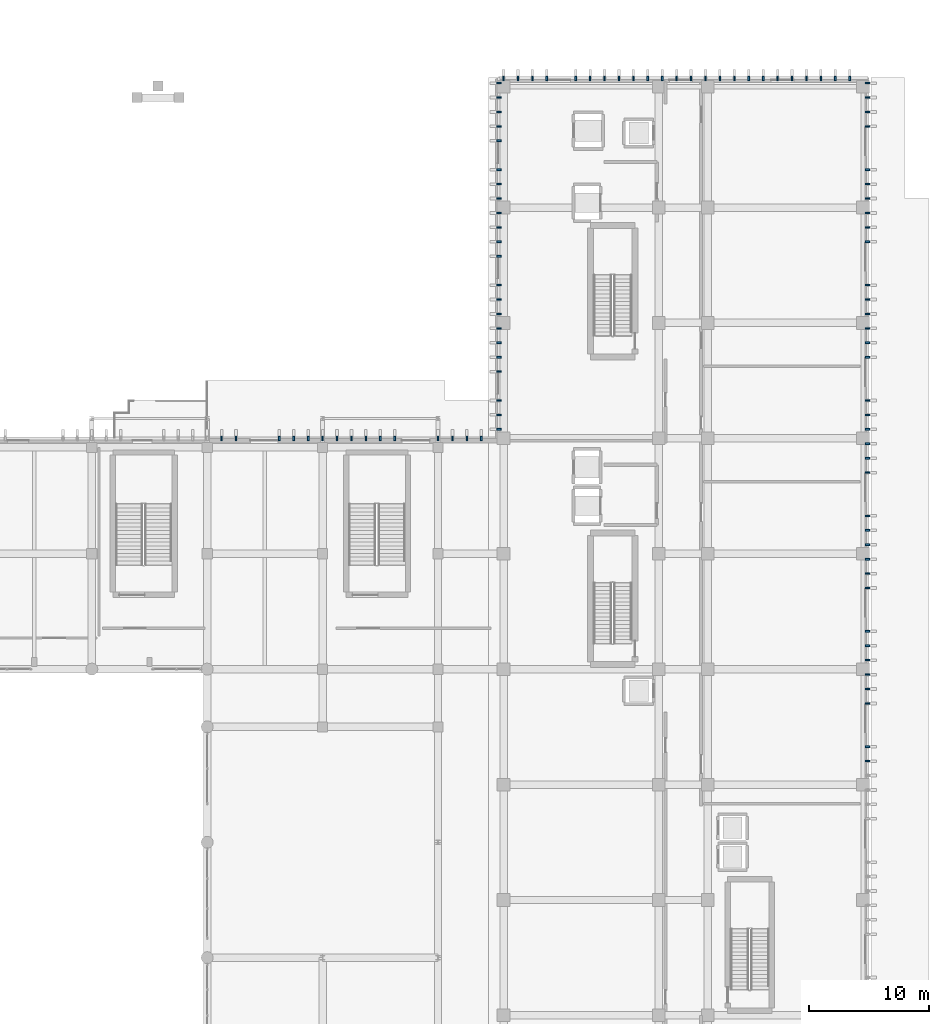
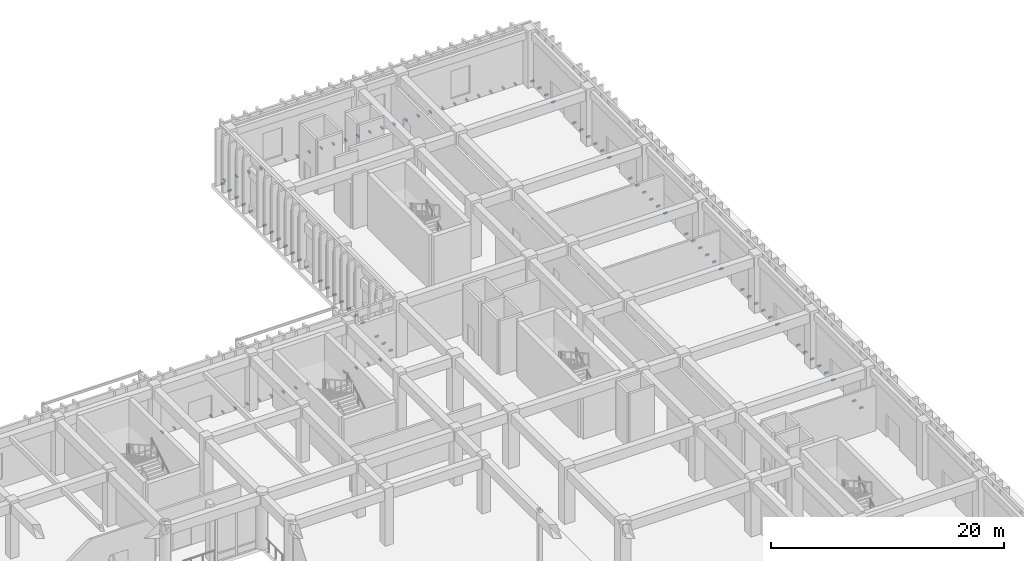
# One storey, part 58 of 87: 97 discrete accessories.
"""IFC4 building model written with IfcOpenShell, lengths in metres."""

import ifcopenshell
import ifcopenshell.guid

model = None  # the IFC model being written
_history = None  # IfcOwnerHistory: only IFC2X3 demands one
_inside = {}  # id of a spatial element -> (the spatial element, [elements in it])
_under = {}  # id of a project, library or spatial element -> (it, [spatial elements below it])
_declared = {}  # id of a project -> (the project, [libraries it declares])
_typed = {}  # id of a type object -> (the type object, [elements of that type])
_made_of = {}  # id of a material, layer set ... -> (it, [elements and type objects made of it])


def new_model(schema):
    """Start an empty IFC model of exactly this schema.

    Asked for "IFC4X3", IfcOpenShell would pick the latest addendum, in which some entities
    have other attributes; the version numbers below select the first issue.
    IFC2X3 requires an IfcOwnerHistory on every rooted entity: one is made here for all.
    """
    global model, _history
    if schema == "IFC4X3":
        model = ifcopenshell.file(schema_version=(4, 3, 0, 0))
    else:
        model = ifcopenshell.file(schema=schema)
    _inside.clear()
    _under.clear()
    _declared.clear()
    _typed.clear()
    _made_of.clear()
    _history = None
    if model.schema == "IFC2X3":
        org = make("IfcOrganization", Name="unknown")
        user = make(
            "IfcPersonAndOrganization",
            ThePerson=make("IfcPerson", FamilyName="unknown"),
            TheOrganization=org,
        )
        app = make(
            "IfcApplication",
            ApplicationDeveloper=org,
            Version="unknown",
            ApplicationFullName="unknown",
            ApplicationIdentifier="unknown",
        )
        _history = make(
            "IfcOwnerHistory",
            OwningUser=user,
            OwningApplication=app,
            ChangeAction="ADDED",
            CreationDate=0,
        )
    return model


def make(cls, **values):
    """One entity of the class cls with the attributes given. An attribute that is None is left unset."""
    return model.create_entity(
        cls, **{name: value for name, value in values.items() if value is not None}
    )


def rooted(cls, **values):
    """An entity with a GlobalId (a new one), such as an element, a storey or a relation."""
    return make(cls, GlobalId=ifcopenshell.guid.new(), OwnerHistory=_history, **values)


def si_unit(unit_type, name, prefix=None):
    """IfcSIUnit, for example si_unit("LENGTHUNIT", "METRE", prefix="MILLI")."""
    return make("IfcSIUnit", UnitType=unit_type, Prefix=prefix, Name=name)


def assignment(units):
    """IfcUnitAssignment: the units of a project."""
    return None if units is None else make("IfcUnitAssignment", Units=units)


def point(xyz):
    """IfcCartesianPoint."""
    return None if xyz is None else make("IfcCartesianPoint", Coordinates=xyz)


def direction(xyz):
    """IfcDirection."""
    return None if xyz is None else make("IfcDirection", DirectionRatios=xyz)


def frame(location, z_axis=None, x_axis=None):
    """IfcAxis2Placement3D, a coordinate frame: its origin and axes. An axis left out is left unset."""
    return make(
        "IfcAxis2Placement3D",
        Location=point(location),
        Axis=direction(z_axis),
        RefDirection=direction(x_axis),
    )


def frame_2d(location, x_axis=None):
    """IfcAxis2Placement2D, a coordinate frame in the plane: its origin and x axis."""
    return make(
        "IfcAxis2Placement2D", Location=point(location), RefDirection=direction(x_axis)
    )


def origin():
    """The frame at (0, 0, 0) with its axes left unset."""
    return frame((0.0, 0.0, 0.0))


def origin_2d():
    """The frame at (0, 0) in the plane with its x axis left unset."""
    return frame_2d((0.0, 0.0))


def place(relative_to, where):
    """IfcLocalPlacement: puts the frame where relative to a parent placement (None: the world)."""
    return make(
        "IfcLocalPlacement", PlacementRelTo=relative_to, RelativePlacement=where
    )


def context(
    kind, dimensions, precision=None, world=None, true_north=None, identifier=None
):
    """IfcGeometricRepresentationContext, for example the 3D "Model" context."""
    return make(
        "IfcGeometricRepresentationContext",
        ContextIdentifier=identifier,
        ContextType=kind,
        CoordinateSpaceDimension=dimensions,
        Precision=precision,
        WorldCoordinateSystem=world,
        TrueNorth=true_north,
    )


def subcontext(parent, identifier, kind, view, scale=None):
    """IfcGeometricRepresentationSubContext, for example "Body" below "Model"."""
    return make(
        "IfcGeometricRepresentationSubContext",
        ContextIdentifier=identifier,
        ContextType=kind,
        ParentContext=parent,
        TargetScale=scale,
        TargetView=view,
    )


def project(units=None, contexts=None):
    """IfcProject with its units and contexts."""
    return rooted(
        "IfcProject",
        Name="project",
        RepresentationContexts=contexts,
        UnitsInContext=assignment(units),
    )


def spatial(cls, under=None, at=None, **own):
    """A site, building, storey or space (cls), placed at a placement, below another one or the project."""
    s = rooted(cls, ObjectPlacement=at, **own)
    if under is not None:
        _under.setdefault(under.id(), (under, []))[1].append(s)
    return s


def profile(cls, at=None, kind="AREA", **sizes):
    """A parametric profile (cls). Its sizes go by their IFC names, for example OverallWidth=200.0."""
    return make(cls, ProfileType=kind, Position=at, **sizes)


def rectangle(**sizes):
    """IfcRectangleProfileDef."""
    return profile("IfcRectangleProfileDef", **sizes)


def extrude(swept, where, along, depth):
    """IfcExtrudedAreaSolid: the profile swept, set in the frame where, extruded along a direction by depth."""
    return make(
        "IfcExtrudedAreaSolid",
        SweptArea=swept,
        Position=where,
        ExtrudedDirection=direction(along),
        Depth=depth,
    )


def shape(context_of_items, identifier, shape_type, items):
    """IfcShapeRepresentation: the items that make up one representation, for example the "Body"."""
    return make(
        "IfcShapeRepresentation",
        ContextOfItems=context_of_items,
        RepresentationIdentifier=identifier,
        RepresentationType=shape_type,
        Items=items,
    )


def material(Name=None, Category=None):
    """IfcMaterial."""
    return make("IfcMaterial", Name=Name, Category=Category)


def made_of(thing, what):
    """Note that an element or type object is made of a material, layer set ...; save() writes the relation."""
    if what is not None:
        _made_of.setdefault(what.id(), (what, []))[1].append(thing)
    return thing


def type_object(cls, material=None, **own):
    """A type object (cls), such as IfcWallType, which elements share."""
    return made_of(rooted(cls, **own), material)


def element(
    cls,
    number,
    at=None,
    inside=None,
    cuts=None,
    type_object=None,
    material=None,
    context=None,
    identifier="Body",
    shape_type=None,
    held_by="IfcProductDefinitionShape",
    body=None,
    shapes=None,
    **own,
):
    """One element of the class cls, such as IfcWall. Its Tag is "e" and its number.

    at: its placement. inside: the storey or other place that contains it. cuts: it is an
    opening in that element (IfcRelVoidsElement). A single representation is given by context,
    identifier, shape_type and body (its items); several are given by shapes. held_by: the class
    of the entity that holds the representations. save() writes the other relations.
    """
    e = rooted(cls, Tag="e%d" % number, ObjectPlacement=at, **own)
    if body is not None:
        shapes = [shape(context, identifier, shape_type, body)]
    if shapes is not None:
        e.Representation = make(held_by, Representations=shapes)
    if inside is not None:
        _inside.setdefault(inside.id(), (inside, []))[1].append(e)
    if cuts is not None:
        rooted(
            "IfcRelVoidsElement", RelatingBuildingElement=cuts, RelatedOpeningElement=e
        )
    if type_object is not None:
        _typed.setdefault(type_object.id(), (type_object, []))[1].append(e)
    return made_of(e, material)


def aggregate(whole, parts):
    """IfcRelAggregates: a whole, such as a stair, and the parts it consists of."""
    return rooted("IfcRelAggregates", RelatingObject=whole, RelatedObjects=parts)


def save(model, path):
    """Write the relations noted so far, then the file.

    IfcRelAggregates (storeys below a building ...), IfcRelContainedInSpatialStructure (elements
    in a storey), IfcRelDefinesByType, IfcRelAssociatesMaterial and IfcRelDeclares: one each for
    every whole, place, type object, material and project.
    """
    for whole, parts in _under.values():
        aggregate(whole, parts)
    for where, things in _inside.values():
        rooted(
            "IfcRelContainedInSpatialStructure",
            RelatedElements=things,
            RelatingStructure=where,
        )
    for kind, things in _typed.values():
        rooted("IfcRelDefinesByType", RelatedObjects=things, RelatingType=kind)
    for what, things in _made_of.values():
        rooted("IfcRelAssociatesMaterial", RelatedObjects=things, RelatingMaterial=what)
    for by, libraries in _declared.values():
        rooted("IfcRelDeclares", RelatingContext=by, RelatedDefinitions=libraries)
    model.write(path)


model = new_model("IFC4")

# Units and contexts
model_context = context("Model", 3, precision=1e-05, world=origin(), true_north=direction((0.0, 1.0)))
body_context = subcontext(model_context, "Body", "Model", "MODEL_VIEW")
ifc_project = project(units=[si_unit("LENGTHUNIT", "METRE"), si_unit("AREAUNIT", "SQUARE_METRE"), si_unit("VOLUMEUNIT", "CUBIC_METRE"), si_unit("PLANEANGLEUNIT", "RADIAN"), si_unit("MASSUNIT", "GRAM", prefix="KILO")], contexts=[model_context])

# Site, building, storey
site_placement = place(None, origin())
site = spatial("IfcSite", under=ifc_project, at=site_placement, CompositionType="ELEMENT")
building_placement = place(site_placement, origin())
building = spatial("IfcBuilding", under=site, at=building_placement, Name="Nakhvara Creek Congress Hotel", CompositionType="ELEMENT")
storey_placement = place(building_placement, origin())
storey = spatial("IfcBuildingStorey", under=building, at=storey_placement, Name="L00", CompositionType="ELEMENT", Elevation=0.0)

# Discrete accessories
ifc_material = material(Name="Brushed stainless steel 316L", Category="steel")
discrete_accessory_type = type_object("IfcDiscreteAccessoryType", Name="ACC-BRK-SS316", PredefinedType="BRACKET", material=ifc_material)
for number, where, z_axis, x_axis, name in (
    (1, (126.0, 95.97998046875, -0.10986328125), (0.0, 0.0, 1.0), (1.0, 0.0, 0.0), "Stainless Fin Bracket BK01-0133"),
    (2, (127.199951171875, 95.97998046875, -0.10986328125), (0.0, 0.0, 1.0), (1.0, 0.0, 0.0), "Stainless Fin Bracket BK01-0134"),
    (3, (130.800048828125, 95.97998046875, -0.10986328125), (0.0, 0.0, 1.0), (1.0, 0.0, 0.0), "Stainless Fin Bracket BK01-0135"),
    (4, (132.0, 95.97998046875, -0.10986328125), (0.0, 0.0, 1.0), (1.0, 0.0, 0.0), "Stainless Fin Bracket BK01-0136"),
    (5, (133.199951171875, 95.97998046875, -0.10986328125), (0.0, 0.0, 1.0), (1.0, 0.0, 0.0), "Stainless Fin Bracket BK01-0137"),
    (6, (134.39990234375, 95.97998046875, -0.10986328125), (0.0, 0.0, 1.0), (1.0, 0.0, 0.0), "Stainless Fin Bracket BK01-0138"),
    (7, (135.60009765625, 95.97998046875, -0.10986328125), (0.0, 0.0, 1.0), (1.0, 0.0, 0.0), "Stainless Fin Bracket BK01-0139"),
    (8, (136.800048828125, 95.97998046875, -0.10986328125), (0.0, 0.0, 1.0), (1.0, 0.0, 0.0), "Stainless Fin Bracket BK01-0140"),
    (9, (138.0, 95.97998046875, -0.10986328125), (0.0, 0.0, 1.0), (1.0, 0.0, 0.0), "Stainless Fin Bracket BK01-0141"),
    (10, (139.199951171875, 95.97998046875, -0.10986328125), (0.0, 0.0, 1.0), (1.0, 0.0, 0.0), "Stainless Fin Bracket BK01-0142"),
    (11, (140.39990234375, 95.97998046875, -0.10986328125), (0.0, 0.0, 1.0), (1.0, 0.0, 0.0), "Stainless Fin Bracket BK01-0143"),
    (12, (144.0, 95.97998046875, -0.10986328125), (0.0, 0.0, 1.0), (1.0, 0.0, 0.0), "Stainless Fin Bracket BK01-0144"),
    (13, (145.199951171875, 95.97998046875, -0.10986328125), (0.0, 0.0, 1.0), (1.0, 0.0, 0.0), "Stainless Fin Bracket BK01-0145"),
    (14, (146.39990234375, 95.97998046875, -0.10986328125), (0.0, 0.0, 1.0), (1.0, 0.0, 0.0), "Stainless Fin Bracket BK01-0146"),
    (15, (147.60009765625, 95.97998046875, -0.10986328125), (0.0, 0.0, 1.0), (1.0, 0.0, 0.0), "Stainless Fin Bracket BK01-0147"),
    (16, (179.72998046875, 69.14990234375, -0.10986328125), (0.0, 0.0, 1.0), (0.0, 1.0, 0.0), "Stainless Fin Bracket BK01-0441"),
    (17, (179.72998046875, 70.35009765625, -0.10986328125), (0.0, 0.0, 1.0), (0.0, 1.0, 0.0), "Stainless Fin Bracket BK01-0442"),
    (18, (179.72998046875, 73.949951171875, -0.10986328125), (0.0, 0.0, 1.0), (0.0, 1.0, 0.0), "Stainless Fin Bracket BK01-0443"),
    (19, (179.72998046875, 75.14990234375, -0.10986328125), (0.0, 0.0, 1.0), (0.0, 1.0, 0.0), "Stainless Fin Bracket BK01-0444"),
    (20, (179.72998046875, 76.35009765625, -0.10986328125), (0.0, 0.0, 1.0), (0.0, 1.0, 0.0), "Stainless Fin Bracket BK01-0445"),
    (21, (179.72998046875, 77.550048828125, -0.10986328125), (0.0, 0.0, 1.0), (0.0, 1.0, 0.0), "Stainless Fin Bracket BK01-0446"),
    (22, (179.72998046875, 78.75, -0.10986328125), (0.0, 0.0, 1.0), (0.0, 1.0, 0.0), "Stainless Fin Bracket BK01-0447"),
    (23, (179.72998046875, 79.949951171875, -0.10986328125), (0.0, 0.0, 1.0), (0.0, 1.0, 0.0), "Stainless Fin Bracket BK01-0448"),
    (24, (179.72998046875, 83.550048828125, -0.10986328125), (0.0, 0.0, 1.0), (0.0, 1.0, 0.0), "Stainless Fin Bracket BK01-0449"),
    (25, (179.72998046875, 84.75, -0.10986328125), (0.0, 0.0, 1.0), (0.0, 1.0, 0.0), "Stainless Fin Bracket BK01-0450"),
    (26, (179.72998046875, 85.949951171875, -0.10986328125), (0.0, 0.0, 1.0), (0.0, 1.0, 0.0), "Stainless Fin Bracket BK01-0451"),
    (27, (179.72998046875, 87.14990234375, -0.10986328125), (0.0, 0.0, 1.0), (0.0, 1.0, 0.0), "Stainless Fin Bracket BK01-0452"),
    (28, (179.72998046875, 88.35009765625, -0.10986328125), (0.0, 0.0, 1.0), (0.0, 1.0, 0.0), "Stainless Fin Bracket BK01-0453"),
    (29, (179.72998046875, 89.550048828125, -0.10986328125), (0.0, 0.0, 1.0), (0.0, 1.0, 0.0), "Stainless Fin Bracket BK01-0454"),
    (30, (179.72998046875, 93.14990234375, -0.10986328125), (0.0, 0.0, 1.0), (0.0, 1.0, 0.0), "Stainless Fin Bracket BK01-0455"),
    (31, (179.72998046875, 94.35009765625, -0.10986328125), (0.0, 0.0, 1.0), (0.0, 1.0, 0.0), "Stainless Fin Bracket BK01-0456"),
    (32, (179.72998046875, 95.550048828125, -0.10986328125), (0.0, 0.0, 1.0), (0.0, 1.0, 0.0), "Stainless Fin Bracket BK01-0457"),
    (33, (179.72998046875, 96.75, -0.10986328125), (0.0, 0.0, 1.0), (0.0, 1.0, 0.0), "Stainless Fin Bracket BK01-0458"),
    (34, (149.070068359375, 96.75, -0.10986328125), (0.0, 0.0, 1.0), (0.0, 1.0, 0.0), "Stainless Fin Bracket BK01-0459"),
    (35, (179.72998046875, 97.949951171875, -0.10986328125), (0.0, 0.0, 1.0), (0.0, 1.0, 0.0), "Stainless Fin Bracket BK01-0460"),
    (36, (149.070068359375, 97.949951171875, -0.10986328125), (0.0, 0.0, 1.0), (0.0, 1.0, 0.0), "Stainless Fin Bracket BK01-0461"),
    (37, (179.72998046875, 99.14990234375, -0.10986328125), (0.0, 0.0, 1.0), (0.0, 1.0, 0.0), "Stainless Fin Bracket BK01-0462"),
    (38, (149.070068359375, 99.14990234375, -0.10986328125), (0.0, 0.0, 1.0), (0.0, 1.0, 0.0), "Stainless Fin Bracket BK01-0463"),
    (39, (149.070068359375, 101.550048828125, -0.10986328125), (0.0, 0.0, 1.0), (0.0, 1.0, 0.0), "Stainless Fin Bracket BK01-0464"),
    (40, (179.72998046875, 102.75, -0.10986328125), (0.0, 0.0, 1.0), (0.0, 1.0, 0.0), "Stainless Fin Bracket BK01-0465"),
    (41, (149.070068359375, 102.75, -0.10986328125), (0.0, 0.0, 1.0), (0.0, 1.0, 0.0), "Stainless Fin Bracket BK01-0466"),
    (42, (179.72998046875, 103.949951171875, -0.10986328125), (0.0, 0.0, 1.0), (0.0, 1.0, 0.0), "Stainless Fin Bracket BK01-0467"),
    (43, (149.070068359375, 103.949951171875, -0.10986328125), (0.0, 0.0, 1.0), (0.0, 1.0, 0.0), "Stainless Fin Bracket BK01-0468"),
    (44, (179.72998046875, 105.14990234375, -0.10986328125), (0.0, 0.0, 1.0), (0.0, 1.0, 0.0), "Stainless Fin Bracket BK01-0469"),
    (45, (149.070068359375, 105.14990234375, -0.10986328125), (0.0, 0.0, 1.0), (0.0, 1.0, 0.0), "Stainless Fin Bracket BK01-0470"),
    (46, (179.72998046875, 106.35009765625, -0.10986328125), (0.0, 0.0, 1.0), (0.0, 1.0, 0.0), "Stainless Fin Bracket BK01-0471"),
    (47, (149.070068359375, 106.35009765625, -0.10986328125), (0.0, 0.0, 1.0), (0.0, 1.0, 0.0), "Stainless Fin Bracket BK01-0472"),
    (48, (179.72998046875, 107.550048828125, -0.10986328125), (0.0, 0.0, 1.0), (0.0, 1.0, 0.0), "Stainless Fin Bracket BK01-0473"),
    (49, (149.070068359375, 107.550048828125, -0.10986328125), (0.0, 0.0, 1.0), (0.0, 1.0, 0.0), "Stainless Fin Bracket BK01-0474"),
    (50, (179.72998046875, 108.75, -0.10986328125), (0.0, 0.0, 1.0), (0.0, 1.0, 0.0), "Stainless Fin Bracket BK01-0475"),
    (51, (149.070068359375, 108.75, -0.10986328125), (0.0, 0.0, 1.0), (0.0, 1.0, 0.0), "Stainless Fin Bracket BK01-0476"),
    (52, (149.070068359375, 111.14990234375, -0.10986328125), (0.0, 0.0, 1.0), (0.0, 1.0, 0.0), "Stainless Fin Bracket BK01-0477"),
    (53, (179.72998046875, 112.35009765625, -0.10986328125), (0.0, 0.0, 1.0), (0.0, 1.0, 0.0), "Stainless Fin Bracket BK01-0478"),
    (54, (149.070068359375, 112.35009765625, -0.10986328125), (0.0, 0.0, 1.0), (0.0, 1.0, 0.0), "Stainless Fin Bracket BK01-0479"),
    (55, (179.72998046875, 113.550048828125, -0.10986328125), (0.0, 0.0, 1.0), (0.0, 1.0, 0.0), "Stainless Fin Bracket BK01-0480"),
    (56, (149.070068359375, 113.550048828125, -0.10986328125), (0.0, 0.0, 1.0), (0.0, 1.0, 0.0), "Stainless Fin Bracket BK01-0481"),
    (57, (179.72998046875, 114.75, -0.10986328125), (0.0, 0.0, 1.0), (0.0, 1.0, 0.0), "Stainless Fin Bracket BK01-0482"),
    (58, (149.070068359375, 114.75, -0.10986328125), (0.0, 0.0, 1.0), (0.0, 1.0, 0.0), "Stainless Fin Bracket BK01-0483"),
    (59, (179.72998046875, 115.949951171875, -0.10986328125), (0.0, 0.0, 1.0), (0.0, 1.0, 0.0), "Stainless Fin Bracket BK01-0484"),
    (60, (149.070068359375, 115.949951171875, -0.10986328125), (0.0, 0.0, 1.0), (0.0, 1.0, 0.0), "Stainless Fin Bracket BK01-0485"),
    (61, (179.72998046875, 117.14990234375, -0.10986328125), (0.0, 0.0, 1.0), (0.0, 1.0, 0.0), "Stainless Fin Bracket BK01-0486"),
    (62, (149.070068359375, 117.14990234375, -0.10986328125), (0.0, 0.0, 1.0), (0.0, 1.0, 0.0), "Stainless Fin Bracket BK01-0487"),
    (63, (179.72998046875, 118.35009765625, -0.10986328125), (0.0, 0.0, 1.0), (0.0, 1.0, 0.0), "Stainless Fin Bracket BK01-0488"),
    (64, (149.070068359375, 118.35009765625, -0.10986328125), (0.0, 0.0, 1.0), (0.0, 1.0, 0.0), "Stainless Fin Bracket BK01-0489"),
    (65, (149.070068359375, 120.75, -0.10986328125), (0.0, 0.0, 1.0), (0.0, 1.0, 0.0), "Stainless Fin Bracket BK01-0490"),
    (66, (179.72998046875, 121.949951171875, -0.10986328125), (0.0, 0.0, 1.0), (0.0, 1.0, 0.0), "Stainless Fin Bracket BK01-0491"),
    (67, (149.070068359375, 121.949951171875, -0.10986328125), (0.0, 0.0, 1.0), (0.0, 1.0, 0.0), "Stainless Fin Bracket BK01-0492"),
    (68, (179.72998046875, 123.14990234375, -0.10986328125), (0.0, 0.0, 1.0), (0.0, 1.0, 0.0), "Stainless Fin Bracket BK01-0493"),
    (69, (149.070068359375, 123.14990234375, -0.10986328125), (0.0, 0.0, 1.0), (0.0, 1.0, 0.0), "Stainless Fin Bracket BK01-0494"),
    (70, (179.72998046875, 124.35009765625, -0.10986328125), (0.0, 0.0, 1.0), (0.0, 1.0, 0.0), "Stainless Fin Bracket BK01-0495"),
    (71, (149.070068359375, 124.35009765625, -0.10986328125), (0.0, 0.0, 1.0), (0.0, 1.0, 0.0), "Stainless Fin Bracket BK01-0496"),
    (72, (179.72998046875, 125.550048828125, -0.10986328125), (0.0, 0.0, 1.0), (0.0, 1.0, 0.0), "Stainless Fin Bracket BK01-0497"),
    (73, (149.070068359375, 125.550048828125, -0.10986328125), (0.0, 0.0, 1.0), (0.0, 1.0, 0.0), "Stainless Fin Bracket BK01-0498"),
    (74, (149.449951171875, 125.93994140625, -0.10986328125), (0.0, 0.0, 1.0), (1.0, 0.0, 0.0), "Stainless Fin Bracket BK01-0499"),
    (75, (150.64990234375, 125.93994140625, -0.10986328125), (0.0, 0.0, 1.0), (1.0, 0.0, 0.0), "Stainless Fin Bracket BK01-0501"),
    (76, (151.85009765625, 125.93994140625, -0.10986328125), (0.0, 0.0, 1.0), (1.0, 0.0, 0.0), "Stainless Fin Bracket BK01-0503"),
    (77, (153.050048828125, 125.93994140625, -0.10986328125), (0.0, 0.0, 1.0), (1.0, 0.0, 0.0), "Stainless Fin Bracket BK01-0505"),
    (78, (155.449951171875, 125.93994140625, -0.10986328125), (0.0, 0.0, 1.0), (1.0, 0.0, 0.0), "Stainless Fin Bracket BK01-0508"),
    (79, (156.64990234375, 125.93994140625, -0.10986328125), (0.0, 0.0, 1.0), (1.0, 0.0, 0.0), "Stainless Fin Bracket BK01-0509"),
    (80, (157.85009765625, 125.93994140625, -0.10986328125), (0.0, 0.0, 1.0), (1.0, 0.0, 0.0), "Stainless Fin Bracket BK01-0510"),
    (81, (159.050048828125, 125.93994140625, -0.10986328125), (0.0, 0.0, 1.0), (1.0, 0.0, 0.0), "Stainless Fin Bracket BK01-0512"),
    (82, (160.25, 125.93994140625, -0.10986328125), (0.0, 0.0, 1.0), (1.0, 0.0, 0.0), "Stainless Fin Bracket BK01-0514"),
    (83, (161.449951171875, 125.93994140625, -0.10986328125), (0.0, 0.0, 1.0), (1.0, 0.0, 0.0), "Stainless Fin Bracket BK01-0516"),
    (84, (162.64990234375, 125.93994140625, -0.10986328125), (0.0, 0.0, 1.0), (1.0, 0.0, 0.0), "Stainless Fin Bracket BK01-0518"),
    (85, (163.85009765625, 125.93994140625, -0.10986328125), (0.0, 0.0, 1.0), (1.0, 0.0, 0.0), "Stainless Fin Bracket BK01-0520"),
    (86, (165.050048828125, 125.93994140625, -0.10986328125), (0.0, 0.0, 1.0), (1.0, 0.0, 0.0), "Stainless Fin Bracket BK01-0521"),
    (87, (166.25, 125.93994140625, -0.10986328125), (0.0, 0.0, 1.0), (1.0, 0.0, 0.0), "Stainless Fin Bracket BK01-0522"),
    (88, (167.449951171875, 125.93994140625, -0.10986328125), (0.0, 0.0, 1.0), (1.0, 0.0, 0.0), "Stainless Fin Bracket BK01-0524"),
    (89, (168.64990234375, 125.93994140625, -0.10986328125), (0.0, 0.0, 1.0), (1.0, 0.0, 0.0), "Stainless Fin Bracket BK01-0526"),
    (90, (169.85009765625, 125.93994140625, -0.10986328125), (0.0, 0.0, 1.0), (1.0, 0.0, 0.0), "Stainless Fin Bracket BK01-0528"),
    (91, (171.050048828125, 125.93994140625, -0.10986328125), (0.0, 0.0, 1.0), (1.0, 0.0, 0.0), "Stainless Fin Bracket BK01-0530"),
    (92, (172.25, 125.93994140625, -0.10986328125), (0.0, 0.0, 1.0), (1.0, 0.0, 0.0), "Stainless Fin Bracket BK01-0532"),
    (93, (173.449951171875, 125.93994140625, -0.10986328125), (0.0, 0.0, 1.0), (1.0, 0.0, 0.0), "Stainless Fin Bracket BK01-0534"),
    (94, (174.64990234375, 125.93994140625, -0.10986328125), (0.0, 0.0, 1.0), (1.0, 0.0, 0.0), "Stainless Fin Bracket BK01-0536"),
    (95, (175.85009765625, 125.93994140625, -0.10986328125), (0.0, 0.0, 1.0), (1.0, 0.0, 0.0), "Stainless Fin Bracket BK01-0537"),
    (96, (177.050048828125, 125.93994140625, -0.10986328125), (0.0, 0.0, 1.0), (1.0, 0.0, 0.0), "Stainless Fin Bracket BK01-0538"),
    (97, (178.25, 125.93994140625, -0.10986328125), (0.0, 0.0, 1.0), (1.0, 0.0, 0.0), "Stainless Fin Bracket BK01-0540"),
):
    element("IfcDiscreteAccessory", number, at=place(storey_placement, frame(where, z_axis=z_axis, x_axis=x_axis)), inside=storey, type_object=discrete_accessory_type, Name=name, PredefinedType="BRACKET", context=body_context, shape_type="SweptSolid", body=[
        extrude(rectangle(XDim=0.139892578125, YDim=0.360107421875, at=origin_2d()), origin(), (0.0, 0.0, 1.0), 0.179931640625),
    ])

save(model, "model.ifc")
